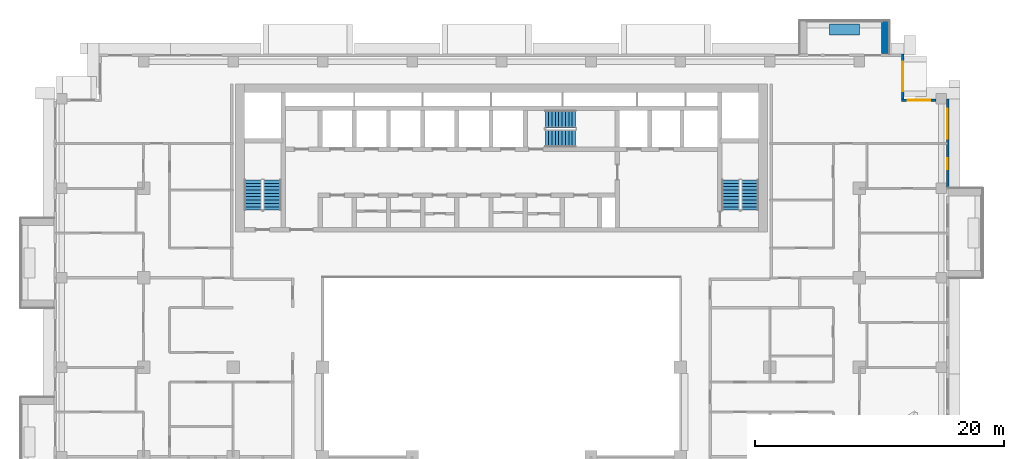
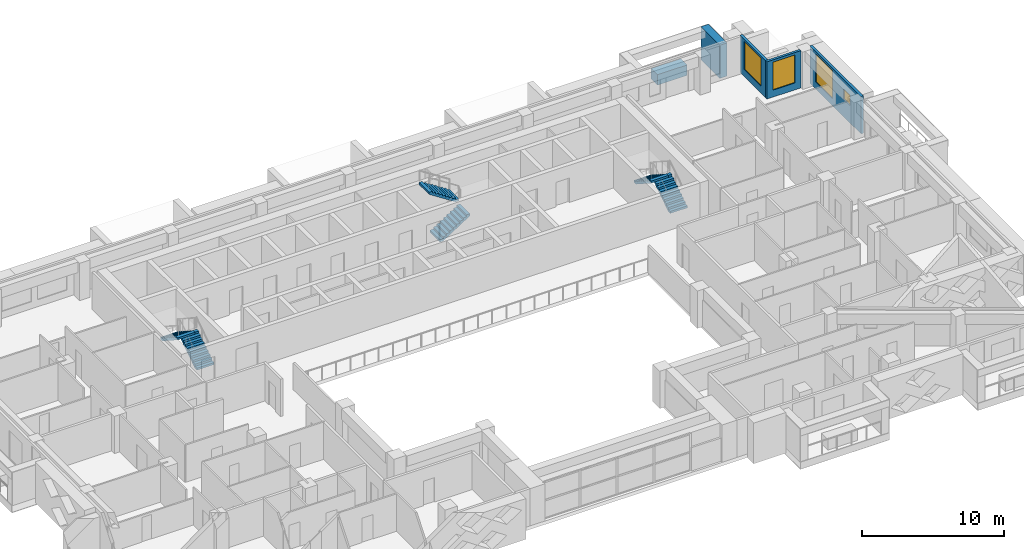
# One storey, part 13 of 20: 6 stair flights, 5 walls, 4 windows, 4 openings, 3 elements without a shape of their own.
"""IFC4 building model written with IfcOpenShell, lengths in metres."""

from ifc_helpers import new_model, si_unit, direction, frame, frame_2d, origin, place, context, subcontext, project, spatial, polyline, rectangle, outline, extrude, material, layer, layer_set, type_object, element, fill, aggregate, save


model = new_model("IFC4")

# Units and contexts
model_context = context("Model", 3, precision=1e-05, world=origin(), true_north=direction((0.0, 1.0)))
body_context = subcontext(model_context, "Body", "Model", "MODEL_VIEW")
ifc_project = project(units=[si_unit("LENGTHUNIT", "METRE"), si_unit("AREAUNIT", "SQUARE_METRE"), si_unit("VOLUMEUNIT", "CUBIC_METRE"), si_unit("PLANEANGLEUNIT", "RADIAN"), si_unit("MASSUNIT", "GRAM", prefix="KILO")], contexts=[model_context])

# Site, building, storey
site_placement = place(None, origin())
site = spatial("IfcSite", under=ifc_project, at=site_placement, CompositionType="ELEMENT")
building_placement = place(site_placement, origin())
building = spatial("IfcBuilding", under=site, at=building_placement, Name="Saffron Iwan Residences", CompositionType="ELEMENT")
storey_placement = place(building_placement, frame((0.0, 0.0, 171.0)))
storey = spatial("IfcBuildingStorey", under=building, at=storey_placement, Name="L45", CompositionType="ELEMENT", Elevation=171.0)

# Walls
ifc_material_1 = material(Name="Concrete C50/60 white painted", Category="concrete")
ifc_layer_1 = layer(ifc_material_1, 0.60009765625)
ifc_layer_set_1 = layer_set([ifc_layer_1], Name="Concrete C50/60 white painted")
wall_type_1 = type_object("IfcWallType", Name="BALCONY FIN 600", PredefinedType="SOLIDWALL", material=ifc_layer_set_1)
wall_1_placement = place(storey_placement, frame((81.300048828125, 80.449951171875, 0.0), z_axis=(0.0, 0.0, 1.0), x_axis=(0.0, 1.0, 0.0)))
element("IfcWall", 1, at=wall_1_placement, inside=storey, type_object=wall_type_1, Name="Balcony fin L45 F5-0a", PredefinedType="SOLIDWALL", context=body_context, shape_type="SweptSolid", body=[
    extrude(rectangle(XDim=2.650146484375, YDim=0.60009765625, at=frame_2d((1.3251953125, 0.0))), origin(), (0.0, 0.0, 1.0), 2.85009765625),
])
ifc_material_2 = material(Name="Concrete C35/45 white painted", Category="concrete")
ifc_layer_2 = layer(ifc_material_2, 0.14990234375)
ifc_layer_set_2 = layer_set([ifc_layer_2], Name="Concrete C35/45 white painted")
wall_type_2 = type_object("IfcWallType", Name="BALCONY PLANTER", PredefinedType="SOLIDWALL", material=ifc_layer_set_2)
wall_2_placement = place(storey_placement, frame((79.199951171875, 82.375, 0.0), z_axis=(0.0, 0.0, 1.0), x_axis=(-1.0, 0.0, 0.0)))
element("IfcWall", 2, at=wall_2_placement, inside=storey, type_object=wall_type_2, Name="PLANTER L45 F5-0", PredefinedType="SOLIDWALL", context=body_context, shape_type="SweptSolid", body=[
    extrude(rectangle(XDim=2.39990234375, YDim=0.89990234375, at=frame_2d((1.199951171875, 0.0))), origin(), (0.0, 0.0, 1.0), 0.89990234375),
])

# Wall, openings, windows
ifc_material_3 = material(Name="Concrete C40/50", Category="concrete")
ifc_layer_3 = layer(ifc_material_3, 0.199951171875)
ifc_layer_set_3 = layer_set([ifc_layer_3], Name="Concrete C40/50")
wall_type_3 = type_object("IfcWallType", Name="EXTERNAL WALL 200", PredefinedType="SOLIDWALL", material=ifc_layer_set_3)
wall_3_placement = place(storey_placement, frame((86.300048828125, 69.60009765625, 0.0), z_axis=(0.0, 0.0, 1.0), x_axis=(0.0, 1.0, 0.0)))
wall_3 = element("IfcWall", 3, at=wall_3_placement, inside=storey, type_object=wall_type_3, Name="External wall L45 F2.2", PredefinedType="SOLIDWALL", context=body_context, shape_type="SweptSolid", body=[
    extrude(rectangle(XDim=7.199951171875, YDim=0.199951171875, at=frame_2d((3.60009765625, 0.0))), origin(), (0.0, 0.0, 1.0), 3.199951171875),
])
opening_1_placement = place(wall_3_placement, frame((1.53759765625, 0.0, 1.5)))
opening_1 = element("IfcOpeningElement", 4, at=opening_1_placement, cuts=wall_3, Name="Opening W6", PredefinedType="OPENING", context=body_context, shape_type="SweptSolid", body=[
    extrude(rectangle(XDim=0.89990234375, YDim=0.89990234375, at=frame_2d((0.449951171875, 0.449951171875))), frame((0.0, 0.10986328125, 0.0), z_axis=(0.0, -1.0, 0.0), x_axis=(1.0, 0.0, 0.0)), (0.0, 0.0, 1.0), 0.219970703125),
])
opening_2_placement = place(wall_3_placement, frame((4.012451171875, 0.0, 0.60009765625)))
opening_2 = element("IfcOpeningElement", 5, at=opening_2_placement, cuts=wall_3, Name="Opening W1", PredefinedType="OPENING", context=body_context, shape_type="SweptSolid", body=[
    extrude(rectangle(XDim=2.39990234375, YDim=2.39990234375, at=frame_2d((1.199951171875, 1.199951171875))), frame((0.0, 0.10986328125, 0.0), z_axis=(0.0, -1.0, 0.0), x_axis=(1.0, 0.0, 0.0)), (0.0, 0.0, 1.0), 0.219970703125),
])
ifc_material_4 = material(Name="Clear glass, laminated double glazed", Category="glass")
window_type_1 = type_object("IfcWindowType", Name="WINDOW 2400 x 2400", PartitioningType="DOUBLE_PANEL_VERTICAL", PredefinedType="WINDOW", material=ifc_material_4)
window_1_placement = place(opening_2_placement, origin())
window_1 = element("IfcWindow", 6, at=window_1_placement, inside=storey, type_object=window_type_1, Name="Window L45 F2.1", OverallHeight=2.39990234375, OverallWidth=2.39990234375, PartitioningType="DOUBLE_PANEL_VERTICAL", PredefinedType="WINDOW", context=body_context, shape_type="SweptSolid", body=[
    extrude(rectangle(XDim=2.39990234375, YDim=2.39990234375, at=frame_2d((1.199951171875, 1.199951171875))), frame((0.0, 0.030029296875, 0.0), z_axis=(0.0, -1.0, 0.0), x_axis=(1.0, 0.0, 0.0)), (0.0, 0.0, 1.0), 0.06005859375),
])
fill(opening_2, window_1)
window_type_2 = type_object("IfcWindowType", Name="WINDOW 900 x 900 BATH", PartitioningType="SINGLE_PANEL", PredefinedType="WINDOW", material=ifc_material_4)
window_2_placement = place(opening_1_placement, origin())
window_2 = element("IfcWindow", 7, at=window_2_placement, inside=storey, type_object=window_type_2, Name="Window L45 F2.0", OverallHeight=0.89990234375, OverallWidth=0.89990234375, PartitioningType="SINGLE_PANEL", PredefinedType="WINDOW", context=body_context, shape_type="SweptSolid", body=[
    extrude(rectangle(XDim=0.89990234375, YDim=0.89990234375, at=frame_2d((0.449951171875, 0.449951171875))), frame((0.0, 0.030029296875, 0.0), z_axis=(0.0, -1.0, 0.0), x_axis=(1.0, 0.0, 0.0)), (0.0, 0.0, 1.0), 0.06005859375),
])
fill(opening_1, window_2)

# Wall, opening, window
wall_4_placement = place(storey_placement, frame((85.375, 76.699951171875, 0.0), z_axis=(0.0, 0.0, 1.0), x_axis=(-1.0, 0.0, 0.0)))
wall_4 = element("IfcWall", 8, at=wall_4_placement, inside=storey, type_object=wall_type_3, Name="External wall L45 F3.0", PredefinedType="SOLIDWALL", context=body_context, shape_type="SweptSolid", body=[
    extrude(rectangle(XDim=2.77490234375, YDim=0.199951171875, at=frame_2d((1.387451171875, 0.0))), origin(), (0.0, 0.0, 1.0), 3.199951171875),
])
opening_3_placement = place(wall_4_placement, frame((0.487548828125, 0.0, 0.60009765625)))
opening_3 = element("IfcOpeningElement", 9, at=opening_3_placement, cuts=wall_4, Name="Opening W8", PredefinedType="OPENING", context=body_context, shape_type="SweptSolid", body=[
    extrude(rectangle(XDim=1.800048828125, YDim=2.39990234375, at=frame_2d((0.89990234375, 1.199951171875))), frame((0.0, 0.10986328125, 0.0), z_axis=(0.0, -1.0, 0.0), x_axis=(1.0, 0.0, 0.0)), (0.0, 0.0, 1.0), 0.219970703125),
])
window_type_3 = type_object("IfcWindowType", Name="WINDOW 1800 x 2400", PartitioningType="DOUBLE_PANEL_VERTICAL", PredefinedType="WINDOW", material=ifc_material_4)
window_3_placement = place(opening_3_placement, origin())
window_3 = element("IfcWindow", 10, at=window_3_placement, inside=storey, type_object=window_type_3, Name="Window L45 F3.0", OverallHeight=2.39990234375, OverallWidth=1.800048828125, PartitioningType="DOUBLE_PANEL_VERTICAL", PredefinedType="WINDOW", context=body_context, shape_type="SweptSolid", body=[
    extrude(rectangle(XDim=1.800048828125, YDim=2.39990234375, at=frame_2d((0.89990234375, 1.199951171875))), frame((0.0, 0.030029296875, 0.0), z_axis=(0.0, -1.0, 0.0), x_axis=(1.0, 0.0, 0.0)), (0.0, 0.0, 1.0), 0.06005859375),
])
fill(opening_3, window_3)

wall_5_placement = place(storey_placement, frame((82.699951171875, 76.800048828125, 0.0), z_axis=(0.0, 0.0, 1.0), x_axis=(0.0, 1.0, 0.0)))
wall_5 = element("IfcWall", 11, at=wall_5_placement, inside=storey, type_object=wall_type_3, Name="External wall L45 F4.0", PredefinedType="SOLIDWALL", context=body_context, shape_type="SweptSolid", body=[
    extrude(rectangle(XDim=3.599853515625, YDim=0.199951171875, at=frame_2d((1.7998046875, 0.0))), origin(), (0.0, 0.0, 1.0), 3.199951171875),
])
opening_4_placement = place(wall_5_placement, frame((0.60009765625, 0.0, 0.60009765625)))
opening_4 = element("IfcOpeningElement", 12, at=opening_4_placement, cuts=wall_5, Name="Opening W1", PredefinedType="OPENING", context=body_context, shape_type="SweptSolid", body=[
    extrude(rectangle(XDim=2.39990234375, YDim=2.39990234375, at=frame_2d((1.199951171875, 1.199951171875))), frame((0.0, 0.10986328125, 0.0), z_axis=(0.0, -1.0, 0.0), x_axis=(1.0, 0.0, 0.0)), (0.0, 0.0, 1.0), 0.219970703125),
])
window_4_placement = place(opening_4_placement, origin())
window_4 = element("IfcWindow", 13, at=window_4_placement, inside=storey, type_object=window_type_1, Name="Window L45 F4.0", OverallHeight=2.39990234375, OverallWidth=2.39990234375, PartitioningType="DOUBLE_PANEL_VERTICAL", PredefinedType="WINDOW", context=body_context, shape_type="SweptSolid", body=[
    extrude(rectangle(XDim=2.39990234375, YDim=2.39990234375, at=frame_2d((1.199951171875, 1.199951171875))), frame((0.0, 0.030029296875, 0.0), z_axis=(0.0, -1.0, 0.0), x_axis=(1.0, 0.0, 0.0)), (0.0, 0.0, 1.0), 0.06005859375),
])
fill(opening_4, window_4)

# Stair, stair flights
ifc_material_5 = material(Name="Concrete C50/60", Category="concrete")
stair_type = type_object("IfcStairType", Name="Stair ST-CORE", PredefinedType="HALF_TURN_STAIR", material=ifc_material_5)
stair_1_placement = place(storey_placement, origin())
stair_1 = element("IfcStair", 14, at=stair_1_placement, inside=storey, type_object=stair_type, Name="L45 Exit Stair ST-W", PredefinedType="HALF_TURN_STAIR")
ifc_layer_4 = layer(ifc_material_5, 0.14990234375)
ifc_layer_set_4 = layer_set([ifc_layer_4], Name="Concrete C50/60")
stair_flight_type = type_object("IfcStairFlightType", Name="Stair flight SFL-RC", PredefinedType="STRAIGHT", material=ifc_layer_set_4)
stair_flight_1_placement = place(storey_placement, frame((31.949951171875, 67.85009765625, 0.0), z_axis=(0.0, 0.0, 1.0), x_axis=(0.0, 1.0, 0.0)))
stair_flight_1 = element("IfcStairFlight", 15, at=stair_flight_1_placement, type_object=stair_flight_type, Name="ST-W flight 1", NumberOfRisers=10, NumberOfTreads=9, PredefinedType="STRAIGHT", RiserHeight=0.175, TreadLength=0.27, context=body_context, shape_type="SweptSolid", body=[
    extrude(outline(polyline([(0.0, 0.0), (0.0, 0.175048828125), (0.27001953125, 0.175048828125), (0.27001953125, 0.35009765625), (0.5400390625, 0.35009765625), (0.5400390625, 0.52490234375), (0.81005859375, 0.52490234375), (0.81005859375, 0.699951171875), (1.080078125, 0.699951171875), (1.080078125, 0.875), (1.35009765625, 0.875), (1.35009765625, 1.050048828125), (1.6201171875, 1.050048828125), (1.6201171875, 1.22509765625), (1.889892578125, 1.22509765625), (1.889892578125, 1.39990234375), (2.159912109375, 1.39990234375), (2.159912109375, 1.574951171875), (2.429931640625, 1.574951171875), (2.429931640625, 1.75), (2.429931640625, 1.396484375), (0.275634765625, 0.0), (0.0, 0.0)])), frame((0.0, 0.699951171875, 0.0), z_axis=(0.0, -1.0, 0.0), x_axis=(1.0, 0.0, 0.0)), (0.0, 0.0, 1.0), 1.39990234375),
])
stair_flight_2_placement = place(storey_placement, frame((30.39990234375, 70.280029296875, 1.75), z_axis=(0.0, 0.0, 1.0), x_axis=(0.0, -1.0, 0.0)))
stair_flight_2 = element("IfcStairFlight", 16, at=stair_flight_2_placement, type_object=stair_flight_type, Name="ST-W flight 2", NumberOfRisers=10, NumberOfTreads=9, PredefinedType="STRAIGHT", RiserHeight=0.175, TreadLength=0.27, context=body_context, shape_type="SweptSolid", body=[
    extrude(outline(polyline([(0.0, 0.0), (0.0, 0.175048828125), (0.27001953125, 0.175048828125), (0.27001953125, 0.35009765625), (0.5400390625, 0.35009765625), (0.5400390625, 0.52490234375), (0.81005859375, 0.52490234375), (0.81005859375, 0.699951171875), (1.080078125, 0.699951171875), (1.080078125, 0.875), (1.35009765625, 0.875), (1.35009765625, 1.050048828125), (1.6201171875, 1.050048828125), (1.6201171875, 1.22509765625), (1.889892578125, 1.22509765625), (1.889892578125, 1.39990234375), (2.159912109375, 1.39990234375), (2.159912109375, 1.574951171875), (2.429931640625, 1.574951171875), (2.429931640625, 1.75), (2.429931640625, 1.396484375), (0.275634765625, 0.0), (0.0, 0.0)])), frame((0.0, 0.699951171875, 0.0), z_axis=(0.0, -1.0, 0.0), x_axis=(1.0, 0.0, 0.0)), (0.0, 0.0, 1.0), 1.39990234375),
])
aggregate(stair_1, [stair_flight_1, stair_flight_2])

stair_2_placement = place(storey_placement, origin())
stair_2 = element("IfcStair", 17, at=stair_2_placement, inside=storey, type_object=stair_type, Name="L45 Exit Stair ST-C", PredefinedType="HALF_TURN_STAIR")
stair_flight_3_placement = place(storey_placement, frame((53.925048828125, 73.625, 0.0), z_axis=(0.0, 0.0, 1.0), x_axis=(1.0, 0.0, 0.0)))
stair_flight_3 = element("IfcStairFlight", 18, at=stair_flight_3_placement, type_object=stair_flight_type, Name="ST-C flight 1", NumberOfRisers=10, NumberOfTreads=9, PredefinedType="STRAIGHT", RiserHeight=0.175, TreadLength=0.27, context=body_context, shape_type="SweptSolid", body=[
    extrude(outline(polyline([(0.0, 0.0), (0.0, 0.175048828125), (0.27001953125, 0.175048828125), (0.27001953125, 0.35009765625), (0.5400390625, 0.35009765625), (0.5400390625, 0.52490234375), (0.81005859375, 0.52490234375), (0.81005859375, 0.699951171875), (1.080078125, 0.699951171875), (1.080078125, 0.875), (1.35009765625, 0.875), (1.35009765625, 1.050048828125), (1.6201171875, 1.050048828125), (1.6201171875, 1.22509765625), (1.889892578125, 1.22509765625), (1.889892578125, 1.39990234375), (2.159912109375, 1.39990234375), (2.159912109375, 1.574951171875), (2.429931640625, 1.574951171875), (2.429931640625, 1.75), (2.429931640625, 1.396484375), (0.275634765625, 0.0), (0.0, 0.0)])), frame((0.0, 0.699951171875, 0.0), z_axis=(0.0, -1.0, 0.0), x_axis=(1.0, 0.0, 0.0)), (0.0, 0.0, 1.0), 1.39990234375),
])
stair_flight_4_placement = place(storey_placement, frame((56.35498046875, 75.175048828125, 1.75), z_axis=(0.0, 0.0, 1.0), x_axis=(-1.0, 0.0, 0.0)))
stair_flight_4 = element("IfcStairFlight", 19, at=stair_flight_4_placement, type_object=stair_flight_type, Name="ST-C flight 2", NumberOfRisers=10, NumberOfTreads=9, PredefinedType="STRAIGHT", RiserHeight=0.175, TreadLength=0.27, context=body_context, shape_type="SweptSolid", body=[
    extrude(outline(polyline([(0.0, 0.0), (0.0, 0.175048828125), (0.27001953125, 0.175048828125), (0.27001953125, 0.35009765625), (0.5400390625, 0.35009765625), (0.5400390625, 0.52490234375), (0.81005859375, 0.52490234375), (0.81005859375, 0.699951171875), (1.080078125, 0.699951171875), (1.080078125, 0.875), (1.35009765625, 0.875), (1.35009765625, 1.050048828125), (1.6201171875, 1.050048828125), (1.6201171875, 1.22509765625), (1.889892578125, 1.22509765625), (1.889892578125, 1.39990234375), (2.159912109375, 1.39990234375), (2.159912109375, 1.574951171875), (2.429931640625, 1.574951171875), (2.429931640625, 1.75), (2.429931640625, 1.396484375), (0.275634765625, 0.0), (0.0, 0.0)])), frame((0.0, 0.699951171875, 0.0), z_axis=(0.0, -1.0, 0.0), x_axis=(1.0, 0.0, 0.0)), (0.0, 0.0, 1.0), 1.39990234375),
])
aggregate(stair_2, [stair_flight_3, stair_flight_4])

stair_3_placement = place(storey_placement, origin())
stair_3 = element("IfcStair", 20, at=stair_3_placement, inside=storey, type_object=stair_type, Name="L45 Exit Stair ST-E", PredefinedType="HALF_TURN_STAIR")
stair_flight_5_placement = place(storey_placement, frame((70.39990234375, 67.85009765625, 0.0), z_axis=(0.0, 0.0, 1.0), x_axis=(0.0, 1.0, 0.0)))
stair_flight_5 = element("IfcStairFlight", 21, at=stair_flight_5_placement, type_object=stair_flight_type, Name="ST-E flight 1", NumberOfRisers=10, NumberOfTreads=9, PredefinedType="STRAIGHT", RiserHeight=0.175, TreadLength=0.27, context=body_context, shape_type="SweptSolid", body=[
    extrude(outline(polyline([(0.0, 0.0), (0.0, 0.175048828125), (0.27001953125, 0.175048828125), (0.27001953125, 0.35009765625), (0.5400390625, 0.35009765625), (0.5400390625, 0.52490234375), (0.81005859375, 0.52490234375), (0.81005859375, 0.699951171875), (1.080078125, 0.699951171875), (1.080078125, 0.875), (1.35009765625, 0.875), (1.35009765625, 1.050048828125), (1.6201171875, 1.050048828125), (1.6201171875, 1.22509765625), (1.889892578125, 1.22509765625), (1.889892578125, 1.39990234375), (2.159912109375, 1.39990234375), (2.159912109375, 1.574951171875), (2.429931640625, 1.574951171875), (2.429931640625, 1.75), (2.429931640625, 1.396484375), (0.275634765625, 0.0), (0.0, 0.0)])), frame((0.0, 0.699951171875, 0.0), z_axis=(0.0, -1.0, 0.0), x_axis=(1.0, 0.0, 0.0)), (0.0, 0.0, 1.0), 1.39990234375),
])
stair_flight_6_placement = place(storey_placement, frame((68.85009765625, 70.280029296875, 1.75), z_axis=(0.0, 0.0, 1.0), x_axis=(0.0, -1.0, 0.0)))
stair_flight_6 = element("IfcStairFlight", 22, at=stair_flight_6_placement, type_object=stair_flight_type, Name="ST-E flight 2", NumberOfRisers=10, NumberOfTreads=9, PredefinedType="STRAIGHT", RiserHeight=0.175, TreadLength=0.27, context=body_context, shape_type="SweptSolid", body=[
    extrude(outline(polyline([(0.0, 0.0), (0.0, 0.175048828125), (0.27001953125, 0.175048828125), (0.27001953125, 0.35009765625), (0.5400390625, 0.35009765625), (0.5400390625, 0.52490234375), (0.81005859375, 0.52490234375), (0.81005859375, 0.699951171875), (1.080078125, 0.699951171875), (1.080078125, 0.875), (1.35009765625, 0.875), (1.35009765625, 1.050048828125), (1.6201171875, 1.050048828125), (1.6201171875, 1.22509765625), (1.889892578125, 1.22509765625), (1.889892578125, 1.39990234375), (2.159912109375, 1.39990234375), (2.159912109375, 1.574951171875), (2.429931640625, 1.574951171875), (2.429931640625, 1.75), (2.429931640625, 1.396484375), (0.275634765625, 0.0), (0.0, 0.0)])), frame((0.0, 0.699951171875, 0.0), z_axis=(0.0, -1.0, 0.0), x_axis=(1.0, 0.0, 0.0)), (0.0, 0.0, 1.0), 1.39990234375),
])
aggregate(stair_3, [stair_flight_5, stair_flight_6])

save(model, "model.ifc")
